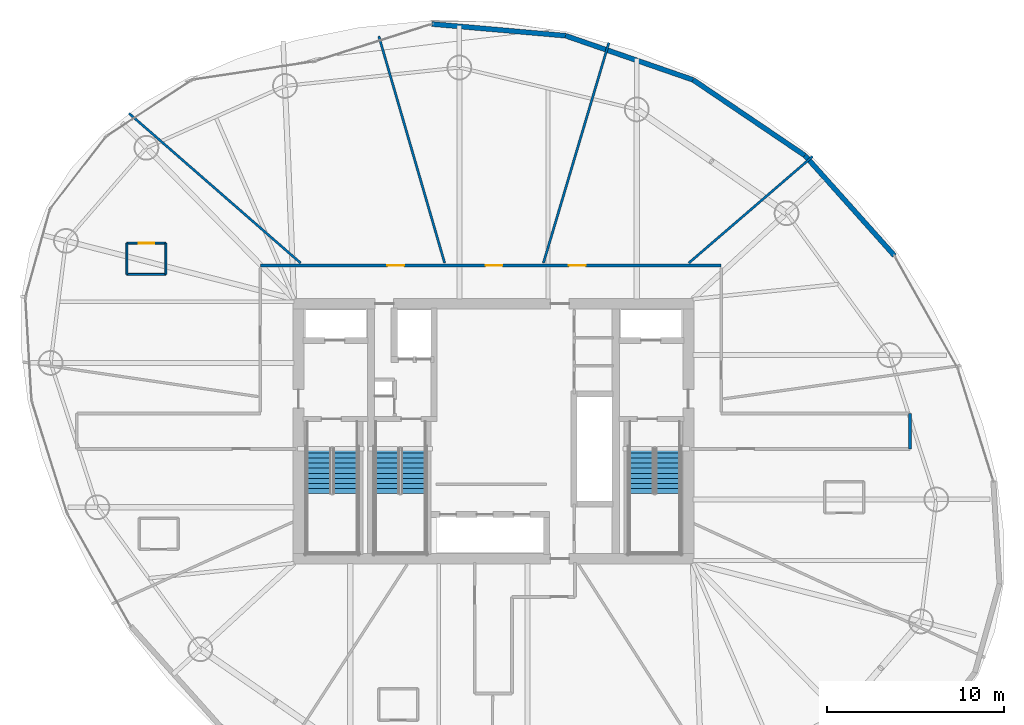
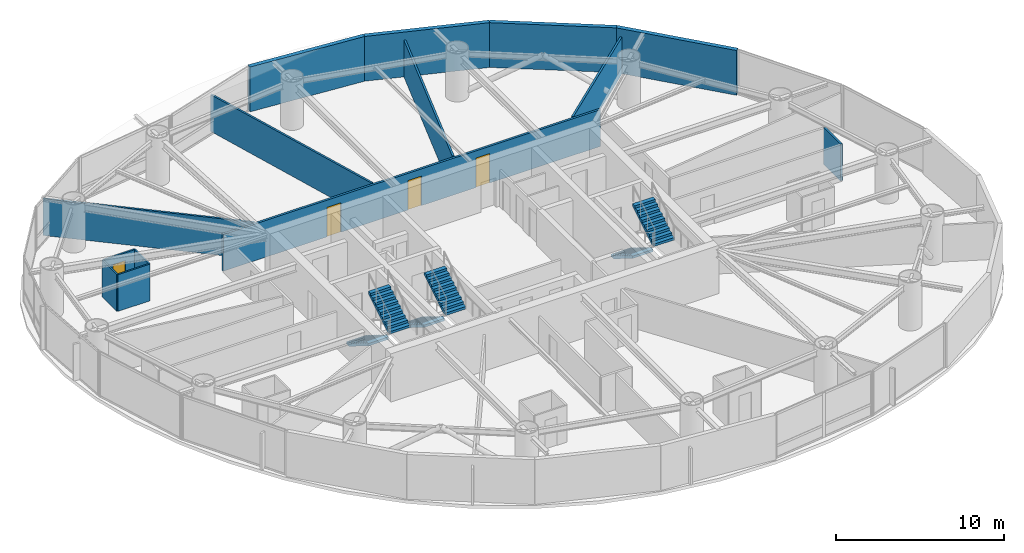
# One storey, part 19 of 22: 14 walls, 6 stair flights, 4 doors, 4 openings, 3 elements without a shape of their own.
"""IFC4 building model written with IfcOpenShell, lengths in metres."""

import ifcopenshell
import ifcopenshell.guid

model = None  # the IFC model being written
_history = None  # IfcOwnerHistory: only IFC2X3 demands one
_inside = {}  # id of a spatial element -> (the spatial element, [elements in it])
_under = {}  # id of a project, library or spatial element -> (it, [spatial elements below it])
_declared = {}  # id of a project -> (the project, [libraries it declares])
_typed = {}  # id of a type object -> (the type object, [elements of that type])
_made_of = {}  # id of a material, layer set ... -> (it, [elements and type objects made of it])


def new_model(schema):
    """Start an empty IFC model of exactly this schema.

    Asked for "IFC4X3", IfcOpenShell would pick the latest addendum, in which some entities
    have other attributes; the version numbers below select the first issue.
    IFC2X3 requires an IfcOwnerHistory on every rooted entity: one is made here for all.
    """
    global model, _history
    if schema == "IFC4X3":
        model = ifcopenshell.file(schema_version=(4, 3, 0, 0))
    else:
        model = ifcopenshell.file(schema=schema)
    _inside.clear()
    _under.clear()
    _declared.clear()
    _typed.clear()
    _made_of.clear()
    _history = None
    if model.schema == "IFC2X3":
        org = make("IfcOrganization", Name="unknown")
        user = make(
            "IfcPersonAndOrganization",
            ThePerson=make("IfcPerson", FamilyName="unknown"),
            TheOrganization=org,
        )
        app = make(
            "IfcApplication",
            ApplicationDeveloper=org,
            Version="unknown",
            ApplicationFullName="unknown",
            ApplicationIdentifier="unknown",
        )
        _history = make(
            "IfcOwnerHistory",
            OwningUser=user,
            OwningApplication=app,
            ChangeAction="ADDED",
            CreationDate=0,
        )
    return model


def make(cls, **values):
    """One entity of the class cls with the attributes given. An attribute that is None is left unset."""
    return model.create_entity(
        cls, **{name: value for name, value in values.items() if value is not None}
    )


def rooted(cls, **values):
    """An entity with a GlobalId (a new one), such as an element, a storey or a relation."""
    return make(cls, GlobalId=ifcopenshell.guid.new(), OwnerHistory=_history, **values)


def si_unit(unit_type, name, prefix=None):
    """IfcSIUnit, for example si_unit("LENGTHUNIT", "METRE", prefix="MILLI")."""
    return make("IfcSIUnit", UnitType=unit_type, Prefix=prefix, Name=name)


def assignment(units):
    """IfcUnitAssignment: the units of a project."""
    return None if units is None else make("IfcUnitAssignment", Units=units)


def point(xyz):
    """IfcCartesianPoint."""
    return None if xyz is None else make("IfcCartesianPoint", Coordinates=xyz)


def direction(xyz):
    """IfcDirection."""
    return None if xyz is None else make("IfcDirection", DirectionRatios=xyz)


def frame(location, z_axis=None, x_axis=None):
    """IfcAxis2Placement3D, a coordinate frame: its origin and axes. An axis left out is left unset."""
    return make(
        "IfcAxis2Placement3D",
        Location=point(location),
        Axis=direction(z_axis),
        RefDirection=direction(x_axis),
    )


def frame_2d(location, x_axis=None):
    """IfcAxis2Placement2D, a coordinate frame in the plane: its origin and x axis."""
    return make(
        "IfcAxis2Placement2D", Location=point(location), RefDirection=direction(x_axis)
    )


def origin():
    """The frame at (0, 0, 0) with its axes left unset."""
    return frame((0.0, 0.0, 0.0))


def place(relative_to, where):
    """IfcLocalPlacement: puts the frame where relative to a parent placement (None: the world)."""
    return make(
        "IfcLocalPlacement", PlacementRelTo=relative_to, RelativePlacement=where
    )


def context(
    kind, dimensions, precision=None, world=None, true_north=None, identifier=None
):
    """IfcGeometricRepresentationContext, for example the 3D "Model" context."""
    return make(
        "IfcGeometricRepresentationContext",
        ContextIdentifier=identifier,
        ContextType=kind,
        CoordinateSpaceDimension=dimensions,
        Precision=precision,
        WorldCoordinateSystem=world,
        TrueNorth=true_north,
    )


def subcontext(parent, identifier, kind, view, scale=None):
    """IfcGeometricRepresentationSubContext, for example "Body" below "Model"."""
    return make(
        "IfcGeometricRepresentationSubContext",
        ContextIdentifier=identifier,
        ContextType=kind,
        ParentContext=parent,
        TargetScale=scale,
        TargetView=view,
    )


def project(units=None, contexts=None):
    """IfcProject with its units and contexts."""
    return rooted(
        "IfcProject",
        Name="project",
        RepresentationContexts=contexts,
        UnitsInContext=assignment(units),
    )


def spatial(cls, under=None, at=None, **own):
    """A site, building, storey or space (cls), placed at a placement, below another one or the project."""
    s = rooted(cls, ObjectPlacement=at, **own)
    if under is not None:
        _under.setdefault(under.id(), (under, []))[1].append(s)
    return s


def polyline(points):
    """IfcPolyline through the points."""
    return make("IfcPolyline", Points=[point(p) for p in points])


def profile(cls, at=None, kind="AREA", **sizes):
    """A parametric profile (cls). Its sizes go by their IFC names, for example OverallWidth=200.0."""
    return make(cls, ProfileType=kind, Position=at, **sizes)


def rectangle(**sizes):
    """IfcRectangleProfileDef."""
    return profile("IfcRectangleProfileDef", **sizes)


def outline(outer, holes=None, kind="AREA"):
    """IfcArbitraryClosedProfileDef: a profile drawn as a closed curve; with holes, ...WithVoids."""
    if holes is None:
        return make("IfcArbitraryClosedProfileDef", ProfileType=kind, OuterCurve=outer)
    return make(
        "IfcArbitraryProfileDefWithVoids",
        ProfileType=kind,
        OuterCurve=outer,
        InnerCurves=holes,
    )


def extrude(swept, where, along, depth):
    """IfcExtrudedAreaSolid: the profile swept, set in the frame where, extruded along a direction by depth."""
    return make(
        "IfcExtrudedAreaSolid",
        SweptArea=swept,
        Position=where,
        ExtrudedDirection=direction(along),
        Depth=depth,
    )


def shape(context_of_items, identifier, shape_type, items):
    """IfcShapeRepresentation: the items that make up one representation, for example the "Body"."""
    return make(
        "IfcShapeRepresentation",
        ContextOfItems=context_of_items,
        RepresentationIdentifier=identifier,
        RepresentationType=shape_type,
        Items=items,
    )


def material(Name=None, Category=None):
    """IfcMaterial."""
    return make("IfcMaterial", Name=Name, Category=Category)


def layer(
    of_material, thickness, ventilated=None, Name=None, Category=None, Priority=None
):
    """IfcMaterialLayer: one layer of a wall or slab, of a material (None: an air gap)."""
    return make(
        "IfcMaterialLayer",
        Material=of_material,
        LayerThickness=thickness,
        IsVentilated=ventilated,
        Name=Name,
        Category=Category,
        Priority=Priority,
    )


def layer_set(layers, Name=None):
    """IfcMaterialLayerSet."""
    return make("IfcMaterialLayerSet", MaterialLayers=layers, LayerSetName=Name)


def made_of(thing, what):
    """Note that an element or type object is made of a material, layer set ...; save() writes the relation."""
    if what is not None:
        _made_of.setdefault(what.id(), (what, []))[1].append(thing)
    return thing


def type_object(cls, material=None, **own):
    """A type object (cls), such as IfcWallType, which elements share."""
    return made_of(rooted(cls, **own), material)


def element(
    cls,
    number,
    at=None,
    inside=None,
    cuts=None,
    type_object=None,
    material=None,
    context=None,
    identifier="Body",
    shape_type=None,
    held_by="IfcProductDefinitionShape",
    body=None,
    shapes=None,
    **own,
):
    """One element of the class cls, such as IfcWall. Its Tag is "e" and its number.

    at: its placement. inside: the storey or other place that contains it. cuts: it is an
    opening in that element (IfcRelVoidsElement). A single representation is given by context,
    identifier, shape_type and body (its items); several are given by shapes. held_by: the class
    of the entity that holds the representations. save() writes the other relations.
    """
    e = rooted(cls, Tag="e%d" % number, ObjectPlacement=at, **own)
    if body is not None:
        shapes = [shape(context, identifier, shape_type, body)]
    if shapes is not None:
        e.Representation = make(held_by, Representations=shapes)
    if inside is not None:
        _inside.setdefault(inside.id(), (inside, []))[1].append(e)
    if cuts is not None:
        rooted(
            "IfcRelVoidsElement", RelatingBuildingElement=cuts, RelatedOpeningElement=e
        )
    if type_object is not None:
        _typed.setdefault(type_object.id(), (type_object, []))[1].append(e)
    return made_of(e, material)


def fill(opening, filler):
    """IfcRelFillsElement: the door or window that sits in an opening."""
    return rooted(
        "IfcRelFillsElement",
        RelatingOpeningElement=opening,
        RelatedBuildingElement=filler,
    )


def aggregate(whole, parts):
    """IfcRelAggregates: a whole, such as a stair, and the parts it consists of."""
    return rooted("IfcRelAggregates", RelatingObject=whole, RelatedObjects=parts)


def save(model, path):
    """Write the relations noted so far, then the file.

    IfcRelAggregates (storeys below a building ...), IfcRelContainedInSpatialStructure (elements
    in a storey), IfcRelDefinesByType, IfcRelAssociatesMaterial and IfcRelDeclares: one each for
    every whole, place, type object, material and project.
    """
    for whole, parts in _under.values():
        aggregate(whole, parts)
    for where, things in _inside.values():
        rooted(
            "IfcRelContainedInSpatialStructure",
            RelatedElements=things,
            RelatingStructure=where,
        )
    for kind, things in _typed.values():
        rooted("IfcRelDefinesByType", RelatedObjects=things, RelatingType=kind)
    for what, things in _made_of.values():
        rooted("IfcRelAssociatesMaterial", RelatedObjects=things, RelatingMaterial=what)
    for by, libraries in _declared.values():
        rooted("IfcRelDeclares", RelatingContext=by, RelatedDefinitions=libraries)
    model.write(path)


model = new_model("IFC4")

# Units and contexts
model_context = context("Model", 3, precision=1e-05, world=origin(), true_north=direction((0.0, 1.0)))
body_context = subcontext(model_context, "Body", "Model", "MODEL_VIEW")
ifc_project = project(units=[si_unit("LENGTHUNIT", "METRE"), si_unit("AREAUNIT", "SQUARE_METRE"), si_unit("VOLUMEUNIT", "CUBIC_METRE"), si_unit("PLANEANGLEUNIT", "RADIAN"), si_unit("MASSUNIT", "GRAM", prefix="KILO")], contexts=[model_context])

# Site, building, storey
site_placement = place(None, origin())
site = spatial("IfcSite", under=ifc_project, at=site_placement, CompositionType="ELEMENT")
building_placement = place(site_placement, origin())
building = spatial("IfcBuilding", under=site, at=building_placement, Name="Bramvorn Convention Spire", CompositionType="ELEMENT")
storey_placement = place(building_placement, frame((0.0, 0.0, 137.800048828125)))
storey = spatial("IfcBuildingStorey", under=building, at=storey_placement, Name="L34", CompositionType="ELEMENT", Elevation=137.800048828125)

# Walls
ifc_material_1 = material(Name="Precast Concrete C40/50 with Bronze Terracotta Rainscreen", Category="masonry")
ifc_layer_1 = layer(ifc_material_1, 0.300048828125)
ifc_layer_set_1 = layer_set([ifc_layer_1], Name="Precast Concrete C40/50 with Bronze Terracotta Rainscreen - WL-EXT-BRONZE-300")
wall_type_1 = type_object("IfcWallType", Name="WL-EXT-BRONZE-300", PredefinedType="SOLIDWALL", material=ifc_layer_set_1)
wall_1_placement = place(storey_placement, frame((55.57470703125, 41.549072265625, 0.0), z_axis=(0.0, 0.0, 1.0), x_axis=(0.666525173895, -0.745482523312, 0.0)))
element("IfcWall", 1, at=wall_1_placement, inside=storey, type_object=wall_type_1, Name="L34 expressed bronze Gothic lancet pier wall 05", PredefinedType="SOLIDWALL", context=body_context, shape_type="SweptSolid", body=[
    extrude(rectangle(XDim=7.5693359375, YDim=0.280029296875, at=frame_2d((3.78466796875, 0.0))), origin(), (0.0, 0.0, 1.0), 3.260009765625),
])
for number, where, z_axis, x_axis, name in (
    (2, (49.266845703125, 45.8193359375, 0.0), (0.0, 0.0, 1.0), (0.828089557731, -0.560595829789, 0.0), "L34 expressed bronze Gothic lancet pier wall 06"),
    (3, (42.06884765625, 48.312255859375, 0.0), (0.0, 0.0, 1.0), (0.944933095828, -0.327263570244, 0.0), "L34 expressed bronze Gothic lancet pier wall 07"),
):
    element("IfcWall", number, at=place(storey_placement, frame(where, z_axis=z_axis, x_axis=x_axis)), inside=storey, type_object=wall_type_1, Name=name, PredefinedType="SOLIDWALL", context=body_context, shape_type="SweptSolid", body=[
        extrude(rectangle(XDim=7.617431640625, YDim=0.280029296875, at=frame_2d((3.80859375, 0.0))), origin(), (0.0, 0.0, 1.0), 3.260009765625),
    ])
wall_2_placement = place(storey_placement, frame((34.528564453125, 48.971923828125, 0.0), z_axis=(0.0, 0.0, 1.0), x_axis=(0.996194942777, -0.087152945941, 0.0)))
element("IfcWall", 4, at=wall_2_placement, inside=storey, type_object=wall_type_1, Name="L34 expressed bronze Gothic lancet pier wall 08", PredefinedType="SOLIDWALL", context=body_context, shape_type="SweptSolid", body=[
    extrude(rectangle(XDim=7.569091796875, YDim=0.280029296875, at=frame_2d((3.78466796875, 0.0))), origin(), (0.0, 0.0, 1.0), 3.260009765625),
])
ifc_material_2 = material(Name="Lightweight En-Suite & Wet-Wall Partition", Category="gypsum")
ifc_layer_2 = layer(ifc_material_2, 0.110107421875)
ifc_layer_set_2 = layer_set([ifc_layer_2], Name="Lightweight En-Suite & Wet-Wall Partition - WL-PART-110")
wall_type_2 = type_object("IfcWallType", Name="WL-PART-110", PredefinedType="PARTITIONING", material=ifc_layer_set_2)
wall_3_placement = place(storey_placement, frame((17.320556640625, 34.852783203125, 0.0), z_axis=(0.0, 0.0, 1.0), x_axis=(1.0, 0.0, 0.0)))
element("IfcWall", 5, at=wall_3_placement, inside=storey, type_object=wall_type_2, Name="Hotel Suite 3405 en-suite south wall", PredefinedType="PARTITIONING", context=body_context, shape_type="SweptSolid", body=[
    extrude(rectangle(XDim=2.199951171875, YDim=0.110107421875, at=frame_2d((1.10009765625, 0.0))), origin(), (0.0, 0.0, 1.0), 2.675048828125),
])

# Wall, opening, door
wall_4_placement = place(storey_placement, frame((17.320556640625, 36.61279296875, 0.0), z_axis=(0.0, 0.0, 1.0), x_axis=(1.0, 0.0, 0.0)))
wall_4 = element("IfcWall", 6, at=wall_4_placement, inside=storey, type_object=wall_type_2, Name="Hotel Suite 3405 en-suite north wall", PredefinedType="PARTITIONING", context=body_context, shape_type="SweptSolid", body=[
    extrude(rectangle(XDim=2.199951171875, YDim=0.110107421875, at=frame_2d((1.10009765625, 0.0))), origin(), (0.0, 0.0, 1.0), 2.675048828125),
])
opening_1_placement = place(wall_4_placement, frame((0.679931640625, 0.0, 0.0)))
opening_1 = element("IfcOpeningElement", 7, at=opening_1_placement, cuts=wall_4, Name="Opening DI-085", PredefinedType="OPENING", context=body_context, shape_type="SweptSolid", body=[
    extrude(rectangle(XDim=0.85009765625, YDim=2.10009765625, at=frame_2d((0.425048828125, 1.050048828125))), frame((0.0, 0.06494140625, 0.0), z_axis=(0.0, -1.0, 0.0), x_axis=(1.0, 0.0, 0.0)), (0.0, 0.0, 1.0), 0.130126953125),
])
ifc_material_3 = material(Name="En-Suite & Restroom Privacy Door", Category="wood")
door_type_1 = type_object("IfcDoorType", Name="DR-INT-850", OperationType="NOTDEFINED", PredefinedType="DOOR", material=ifc_material_3)
door_1_placement = place(opening_1_placement, origin())
door_1 = element("IfcDoor", 8, at=door_1_placement, inside=storey, type_object=door_type_1, Name="Hotel Suite 3405 En-Suite Bathroom door", OperationType="SINGLE_SWING_LEFT", OverallHeight=2.10009765625, OverallWidth=0.85009765625, PredefinedType="DOOR", context=body_context, shape_type="SweptSolid", body=[
    extrude(rectangle(XDim=0.85009765625, YDim=2.10009765625, at=frame_2d((0.425048828125, 1.050048828125))), frame((0.0, 0.02490234375, 0.0), z_axis=(0.0, -1.0, 0.0), x_axis=(1.0, 0.0, 0.0)), (0.0, 0.0, 1.0), 0.050048828125),
])
fill(opening_1, door_1)

# Walls
for number, where, z_axis, x_axis, name in (
    (9, (17.320556640625, 34.852783203125, 0.0), (0.0, 0.0, 1.0), (0.0, 1.0, 0.0), "Hotel Suite 3405 en-suite west wall"),
    (10, (19.5205078125, 34.852783203125, 0.0), (0.0, 0.0, 1.0), (0.0, 1.0, 0.0), "Hotel Suite 3405 en-suite east wall"),
):
    element("IfcWall", number, at=place(storey_placement, frame(where, z_axis=z_axis, x_axis=x_axis)), inside=storey, type_object=wall_type_2, Name=name, PredefinedType="PARTITIONING", context=body_context, shape_type="SweptSolid", body=[
        extrude(rectangle(XDim=1.760009765625, YDim=0.110107421875, at=frame_2d((0.8798828125, 0.0))), origin(), (0.0, 0.0, 1.0), 2.675048828125),
    ])
ifc_material_4 = material(Name="Metal-Stud Demountable Office Partition", Category="gypsum")
ifc_layer_3 = layer(ifc_material_4, 0.1298828125)
ifc_layer_set_3 = layer_set([ifc_layer_3], Name="Metal-Stud Demountable Office Partition - WL-PART-130")
wall_type_3 = type_object("IfcWallType", Name="WL-PART-130", PredefinedType="PARTITIONING", material=ifc_layer_set_3)
wall_5_placement = place(storey_placement, frame((49.0224609375, 35.489990234375, 0.0), z_axis=(0.0, 0.0, 1.0), x_axis=(0.757832522769, 0.65244913015, 0.0)))
element("IfcWall", 11, at=wall_5_placement, inside=storey, type_object=wall_type_3, Name="L34 Guestroom demising wall 2", PredefinedType="PARTITIONING", context=body_context, shape_type="SweptSolid", body=[
    extrude(rectangle(XDim=9.208740234375, YDim=0.1298828125, at=frame_2d((4.6044921875, 0.0))), origin(), (0.0, 0.0, 1.0), 2.675048828125),
])
wall_6_placement = place(storey_placement, frame((40.8193359375, 35.489990234375, 0.0), z_axis=(0.0, 0.0, 1.0), x_axis=(0.284774323045, 0.958594588413, 0.0)))
element("IfcWall", 12, at=wall_6_placement, inside=storey, type_object=wall_type_3, Name="L34 Guestroom demising wall 3", PredefinedType="PARTITIONING", context=body_context, shape_type="SweptSolid", body=[
    extrude(rectangle(XDim=12.96435546875, YDim=0.1298828125, at=frame_2d((6.482177734375, 0.0))), origin(), (0.0, 0.0, 1.0), 2.675048828125),
])
wall_7_placement = place(storey_placement, frame((35.24609375, 35.489990234375, 0.0), z_axis=(0.0, 0.0, 1.0), x_axis=(-0.27869410505, 0.96037992264, 0.0)))
element("IfcWall", 13, at=wall_7_placement, inside=storey, type_object=wall_type_3, Name="L34 Guestroom demising wall 4", PredefinedType="PARTITIONING", context=body_context, shape_type="SweptSolid", body=[
    extrude(rectangle(XDim=13.326904296875, YDim=0.1298828125, at=frame_2d((6.66357421875, 0.0))), origin(), (0.0, 0.0, 1.0), 2.675048828125),
])
wall_8_placement = place(storey_placement, frame((27.117919921875, 35.489990234375, 0.0), z_axis=(0.0, 0.0, 1.0), x_axis=(-0.753667438704, 0.657255956106, 0.0)))
element("IfcWall", 14, at=wall_8_placement, inside=storey, type_object=wall_type_3, Name="L34 Guestroom demising wall 5", PredefinedType="PARTITIONING", context=body_context, shape_type="SweptSolid", body=[
    extrude(rectangle(XDim=12.841064453125, YDim=0.1298828125, at=frame_2d((6.42041015625, 0.0))), origin(), (0.0, 0.0, 1.0), 2.675048828125),
])

# Wall, openings, doors
ifc_material_5 = material(Name="Acoustic Metal-Stud Tenant/Corridor Partition", Category="gypsum")
ifc_layer_4 = layer(ifc_material_5, 0.14990234375)
ifc_layer_set_4 = layer_set([ifc_layer_4], Name="Acoustic Metal-Stud Tenant/Corridor Partition - WL-PART-150")
wall_type_4 = type_object("IfcWallType", Name="WL-PART-150", PredefinedType="PARTITIONING", material=ifc_layer_set_4)
wall_9_placement = place(storey_placement, frame((24.85009765625, 35.35009765625, 0.0), z_axis=(0.0, 0.0, 1.0), x_axis=(1.0, 0.0, 0.0)))
wall_9 = element("IfcWall", 15, at=wall_9_placement, inside=storey, type_object=wall_type_4, Name="L34 North gallery wall", PredefinedType="PARTITIONING", context=body_context, shape_type="SweptSolid", body=[
    extrude(rectangle(XDim=26.0, YDim=0.14990234375, at=frame_2d((13.0, 0.0))), origin(), (0.0, 0.0, 1.0), 2.675048828125),
])
opening_2_placement = place(wall_9_placement, frame((17.400146484375, 0.0, 0.0)))
opening_2 = element("IfcOpeningElement", 16, at=opening_2_placement, cuts=wall_9, Name="Opening DH-095", PredefinedType="OPENING", context=body_context, shape_type="SweptSolid", body=[
    extrude(rectangle(XDim=0.949951171875, YDim=2.14990234375, at=frame_2d((0.47509765625, 1.074951171875))), frame((0.0, 0.0849609375, 0.0), z_axis=(0.0, -1.0, 0.0), x_axis=(1.0, 0.0, 0.0)), (0.0, 0.0, 1.0), 0.169921875),
])
opening_3_placement = place(wall_9_placement, frame((12.70751953125, 0.0, 0.0)))
opening_3 = element("IfcOpeningElement", 17, at=opening_3_placement, cuts=wall_9, Name="Opening DH-095", PredefinedType="OPENING", context=body_context, shape_type="SweptSolid", body=[
    extrude(rectangle(XDim=0.949951171875, YDim=2.14990234375, at=frame_2d((0.47509765625, 1.074951171875))), frame((0.0, 0.0849609375, 0.0), z_axis=(0.0, -1.0, 0.0), x_axis=(1.0, 0.0, 0.0)), (0.0, 0.0, 1.0), 0.169921875),
])
opening_4_placement = place(wall_9_placement, frame((7.158447265625, 0.0, 0.0)))
opening_4 = element("IfcOpeningElement", 18, at=opening_4_placement, cuts=wall_9, Name="Opening DH-095", PredefinedType="OPENING", context=body_context, shape_type="SweptSolid", body=[
    extrude(rectangle(XDim=0.949951171875, YDim=2.14990234375, at=frame_2d((0.47509765625, 1.074951171875))), frame((0.0, 0.0849609375, 0.0), z_axis=(0.0, -1.0, 0.0), x_axis=(1.0, 0.0, 0.0)), (0.0, 0.0, 1.0), 0.169921875),
])
ifc_material_6 = material(Name="Solid-Core Acoustic Guestroom Entry Door", Category="wood")
door_type_2 = type_object("IfcDoorType", Name="DR-HOTEL-950", OperationType="NOTDEFINED", PredefinedType="DOOR", material=ifc_material_6)
door_2_placement = place(opening_2_placement, origin())
door_2 = element("IfcDoor", 19, at=door_2_placement, inside=storey, type_object=door_type_2, Name="L34 Hospitality Lounge 2 door", OperationType="SINGLE_SWING_LEFT", OverallHeight=2.14990234375, OverallWidth=0.949951171875, PredefinedType="DOOR", context=body_context, shape_type="SweptSolid", body=[
    extrude(rectangle(XDim=0.949951171875, YDim=2.14990234375, at=frame_2d((0.47509765625, 1.074951171875))), frame((0.0, 0.02490234375, 0.0), z_axis=(0.0, -1.0, 0.0), x_axis=(1.0, 0.0, 0.0)), (0.0, 0.0, 1.0), 0.050048828125),
])
fill(opening_2, door_2)
door_3_placement = place(opening_3_placement, origin())
door_3 = element("IfcDoor", 20, at=door_3_placement, inside=storey, type_object=door_type_2, Name="L34 Sky Garden Lounge corridor door", OperationType="SINGLE_SWING_LEFT", OverallHeight=2.14990234375, OverallWidth=0.949951171875, PredefinedType="DOOR", context=body_context, shape_type="SweptSolid", body=[
    extrude(rectangle(XDim=0.949951171875, YDim=2.14990234375, at=frame_2d((0.47509765625, 1.074951171875))), frame((0.0, 0.02490234375, 0.0), z_axis=(0.0, -1.0, 0.0), x_axis=(1.0, 0.0, 0.0)), (0.0, 0.0, 1.0), 0.050048828125),
])
fill(opening_3, door_3)
door_4_placement = place(opening_4_placement, origin())
door_4 = element("IfcDoor", 21, at=door_4_placement, inside=storey, type_object=door_type_2, Name="L34 Hospitality Lounge 3 door", OperationType="SINGLE_SWING_RIGHT", OverallHeight=2.14990234375, OverallWidth=0.949951171875, PredefinedType="DOOR", context=body_context, shape_type="SweptSolid", body=[
    extrude(rectangle(XDim=0.949951171875, YDim=2.14990234375, at=frame_2d((0.47509765625, 1.074951171875))), frame((0.0, 0.02490234375, 0.0), z_axis=(0.0, -1.0, 0.0), x_axis=(1.0, 0.0, 0.0)), (0.0, 0.0, 1.0), 0.050048828125),
])
fill(opening_4, door_4)

# Wall
wall_10_placement = place(storey_placement, frame((61.5, 25.0, 0.0), z_axis=(0.0, 0.0, 1.0), x_axis=(0.0, 1.0, 0.0)))
element("IfcWall", 22, at=wall_10_placement, inside=storey, type_object=wall_type_4, Name="L34 East wing spine end wall", PredefinedType="PARTITIONING", context=body_context, shape_type="SweptSolid", body=[
    extrude(rectangle(XDim=2.0, YDim=0.14990234375, at=frame_2d((1.0, 0.0))), origin(), (0.0, 0.0, 1.0), 2.675048828125),
])

# Stair, stair flights
ifc_material_7 = material(Name="Concrete C40/50 Precast Stair", Category="concrete")
stair_type = type_object("IfcStairType", Name="ST-TOWER-1550", PredefinedType="HALF_TURN_STAIR", material=ifc_material_7)
stair_1_placement = place(storey_placement, origin())
stair_1 = element("IfcStair", 23, at=stair_1_placement, inside=storey, type_object=stair_type, Name="L34 Protected Exit Stair ST1", PredefinedType="HALF_TURN_STAIR")
ifc_material_8 = material(Name="Concrete C40/50 Precast Stair Flight", Category="concrete")
stair_flight_type = type_object("IfcStairFlightType", Name="STF-TOWER-1550", PredefinedType="STRAIGHT", material=ifc_material_8)
stair_flight_1_placement = place(storey_placement, frame((28.155029296875, 25.050048828125, 0.0), z_axis=(0.0, 0.0, 1.0), x_axis=(0.0, -1.0, 0.0)))
stair_flight_1 = element("IfcStairFlight", 24, at=stair_flight_1_placement, type_object=stair_flight_type, Name="ST1 flight 1", NumberOfRisers=10, NumberOfTreads=9, PredefinedType="STRAIGHT", RiserHeight=0.175, TreadLength=0.285, context=body_context, shape_type="SweptSolid", body=[
    extrude(outline(polyline([(0.0, 0.0), (0.0, 0.175048828125), (0.284912109375, 0.175048828125), (0.284912109375, 0.35009765625), (0.570068359375, 0.35009765625), (0.570068359375, 0.52490234375), (0.85498046875, 0.52490234375), (0.85498046875, 0.699951171875), (1.139892578125, 0.699951171875), (1.139892578125, 0.875), (1.425048828125, 0.875), (1.425048828125, 1.050048828125), (1.7099609375, 1.050048828125), (1.7099609375, 1.22509765625), (1.9951171875, 1.22509765625), (1.9951171875, 1.39990234375), (2.280029296875, 1.39990234375), (2.280029296875, 1.574951171875), (2.56494140625, 1.574951171875), (2.56494140625, 1.75), (2.56494140625, 1.399169921875), (0.286376953125, 0.0), (0.0, 0.0)])), frame((0.0, 0.705078125, 0.0), z_axis=(0.0, -1.0, 0.0), x_axis=(1.0, 0.0, 0.0)), (0.0, 0.0, 1.0), 1.409912109375),
])
stair_flight_2_placement = place(storey_placement, frame((29.64501953125, 22.485107421875, 1.75), z_axis=(0.0, 0.0, 1.0), x_axis=(0.0, 1.0, 0.0)))
stair_flight_2 = element("IfcStairFlight", 25, at=stair_flight_2_placement, type_object=stair_flight_type, Name="ST1 flight 2", NumberOfRisers=10, NumberOfTreads=9, PredefinedType="STRAIGHT", RiserHeight=0.175, TreadLength=0.285, context=body_context, shape_type="SweptSolid", body=[
    extrude(outline(polyline([(0.0, 0.0), (0.0, 0.175048828125), (0.284912109375, 0.175048828125), (0.284912109375, 0.35009765625), (0.570068359375, 0.35009765625), (0.570068359375, 0.52490234375), (0.85498046875, 0.52490234375), (0.85498046875, 0.699951171875), (1.139892578125, 0.699951171875), (1.139892578125, 0.875), (1.425048828125, 0.875), (1.425048828125, 1.050048828125), (1.7099609375, 1.050048828125), (1.7099609375, 1.22509765625), (1.9951171875, 1.22509765625), (1.9951171875, 1.39990234375), (2.280029296875, 1.39990234375), (2.280029296875, 1.574951171875), (2.56494140625, 1.574951171875), (2.56494140625, 1.75), (2.56494140625, 1.399169921875), (0.286376953125, 0.0), (0.0, 0.0)])), frame((0.0, 0.705078125, 0.0), z_axis=(0.0, -1.0, 0.0), x_axis=(1.0, 0.0, 0.0)), (0.0, 0.0, 1.0), 1.409912109375),
])
aggregate(stair_1, [stair_flight_1, stair_flight_2])

stair_2_placement = place(storey_placement, origin())
stair_2 = element("IfcStair", 26, at=stair_2_placement, inside=storey, type_object=stair_type, Name="L34 Protected Exit Stair ST2", PredefinedType="HALF_TURN_STAIR")
stair_flight_3_placement = place(storey_placement, frame((46.35498046875, 25.050048828125, 0.0), z_axis=(0.0, 0.0, 1.0), x_axis=(0.0, -1.0, 0.0)))
stair_flight_3 = element("IfcStairFlight", 27, at=stair_flight_3_placement, type_object=stair_flight_type, Name="ST2 flight 1", NumberOfRisers=10, NumberOfTreads=9, PredefinedType="STRAIGHT", RiserHeight=0.175, TreadLength=0.285, context=body_context, shape_type="SweptSolid", body=[
    extrude(outline(polyline([(0.0, 0.0), (0.0, 0.175048828125), (0.284912109375, 0.175048828125), (0.284912109375, 0.35009765625), (0.570068359375, 0.35009765625), (0.570068359375, 0.52490234375), (0.85498046875, 0.52490234375), (0.85498046875, 0.699951171875), (1.139892578125, 0.699951171875), (1.139892578125, 0.875), (1.425048828125, 0.875), (1.425048828125, 1.050048828125), (1.7099609375, 1.050048828125), (1.7099609375, 1.22509765625), (1.9951171875, 1.22509765625), (1.9951171875, 1.39990234375), (2.280029296875, 1.39990234375), (2.280029296875, 1.574951171875), (2.56494140625, 1.574951171875), (2.56494140625, 1.75), (2.56494140625, 1.399169921875), (0.286376953125, 0.0), (0.0, 0.0)])), frame((0.0, 0.705078125, 0.0), z_axis=(0.0, -1.0, 0.0), x_axis=(1.0, 0.0, 0.0)), (0.0, 0.0, 1.0), 1.409912109375),
])
stair_flight_4_placement = place(storey_placement, frame((47.844970703125, 22.485107421875, 1.75), z_axis=(0.0, 0.0, 1.0), x_axis=(0.0, 1.0, 0.0)))
stair_flight_4 = element("IfcStairFlight", 28, at=stair_flight_4_placement, type_object=stair_flight_type, Name="ST2 flight 2", NumberOfRisers=10, NumberOfTreads=9, PredefinedType="STRAIGHT", RiserHeight=0.175, TreadLength=0.285, context=body_context, shape_type="SweptSolid", body=[
    extrude(outline(polyline([(0.0, 0.0), (0.0, 0.175048828125), (0.284912109375, 0.175048828125), (0.284912109375, 0.35009765625), (0.570068359375, 0.35009765625), (0.570068359375, 0.52490234375), (0.85498046875, 0.52490234375), (0.85498046875, 0.699951171875), (1.139892578125, 0.699951171875), (1.139892578125, 0.875), (1.425048828125, 0.875), (1.425048828125, 1.050048828125), (1.7099609375, 1.050048828125), (1.7099609375, 1.22509765625), (1.9951171875, 1.22509765625), (1.9951171875, 1.39990234375), (2.280029296875, 1.39990234375), (2.280029296875, 1.574951171875), (2.56494140625, 1.574951171875), (2.56494140625, 1.75), (2.56494140625, 1.399169921875), (0.286376953125, 0.0), (0.0, 0.0)])), frame((0.0, 0.705078125, 0.0), z_axis=(0.0, -1.0, 0.0), x_axis=(1.0, 0.0, 0.0)), (0.0, 0.0, 1.0), 1.409912109375),
])
aggregate(stair_2, [stair_flight_3, stair_flight_4])

stair_3_placement = place(storey_placement, origin())
stair_3 = element("IfcStair", 29, at=stair_3_placement, inside=storey, type_object=stair_type, Name="L34 Protected Exit Stair ST3", PredefinedType="HALF_TURN_STAIR")
stair_flight_5_placement = place(storey_placement, frame((32.0048828125, 25.050048828125, 0.0), z_axis=(0.0, 0.0, 1.0), x_axis=(0.0, -1.0, 0.0)))
stair_flight_5 = element("IfcStairFlight", 30, at=stair_flight_5_placement, type_object=stair_flight_type, Name="ST3 flight 1", NumberOfRisers=10, NumberOfTreads=9, PredefinedType="STRAIGHT", RiserHeight=0.175, TreadLength=0.285, context=body_context, shape_type="SweptSolid", body=[
    extrude(outline(polyline([(0.0, 0.0), (0.0, 0.175048828125), (0.284912109375, 0.175048828125), (0.284912109375, 0.35009765625), (0.570068359375, 0.35009765625), (0.570068359375, 0.52490234375), (0.85498046875, 0.52490234375), (0.85498046875, 0.699951171875), (1.139892578125, 0.699951171875), (1.139892578125, 0.875), (1.425048828125, 0.875), (1.425048828125, 1.050048828125), (1.7099609375, 1.050048828125), (1.7099609375, 1.22509765625), (1.9951171875, 1.22509765625), (1.9951171875, 1.39990234375), (2.280029296875, 1.39990234375), (2.280029296875, 1.574951171875), (2.56494140625, 1.574951171875), (2.56494140625, 1.75), (2.56494140625, 1.399169921875), (0.286376953125, 0.0), (0.0, 0.0)])), frame((0.0, 0.705078125, 0.0), z_axis=(0.0, -1.0, 0.0), x_axis=(1.0, 0.0, 0.0)), (0.0, 0.0, 1.0), 1.409912109375),
])
stair_flight_6_placement = place(storey_placement, frame((33.4951171875, 22.485107421875, 1.75), z_axis=(0.0, 0.0, 1.0), x_axis=(0.0, 1.0, 0.0)))
stair_flight_6 = element("IfcStairFlight", 31, at=stair_flight_6_placement, type_object=stair_flight_type, Name="ST3 flight 2", NumberOfRisers=10, NumberOfTreads=9, PredefinedType="STRAIGHT", RiserHeight=0.175, TreadLength=0.285, context=body_context, shape_type="SweptSolid", body=[
    extrude(outline(polyline([(0.0, 0.0), (0.0, 0.175048828125), (0.284912109375, 0.175048828125), (0.284912109375, 0.35009765625), (0.570068359375, 0.35009765625), (0.570068359375, 0.52490234375), (0.85498046875, 0.52490234375), (0.85498046875, 0.699951171875), (1.139892578125, 0.699951171875), (1.139892578125, 0.875), (1.425048828125, 0.875), (1.425048828125, 1.050048828125), (1.7099609375, 1.050048828125), (1.7099609375, 1.22509765625), (1.9951171875, 1.22509765625), (1.9951171875, 1.39990234375), (2.280029296875, 1.39990234375), (2.280029296875, 1.574951171875), (2.56494140625, 1.574951171875), (2.56494140625, 1.75), (2.56494140625, 1.399169921875), (0.286376953125, 0.0), (0.0, 0.0)])), frame((0.0, 0.705078125, 0.0), z_axis=(0.0, -1.0, 0.0), x_axis=(1.0, 0.0, 0.0)), (0.0, 0.0, 1.0), 1.409912109375),
])
aggregate(stair_3, [stair_flight_5, stair_flight_6])

save(model, "model.ifc")
